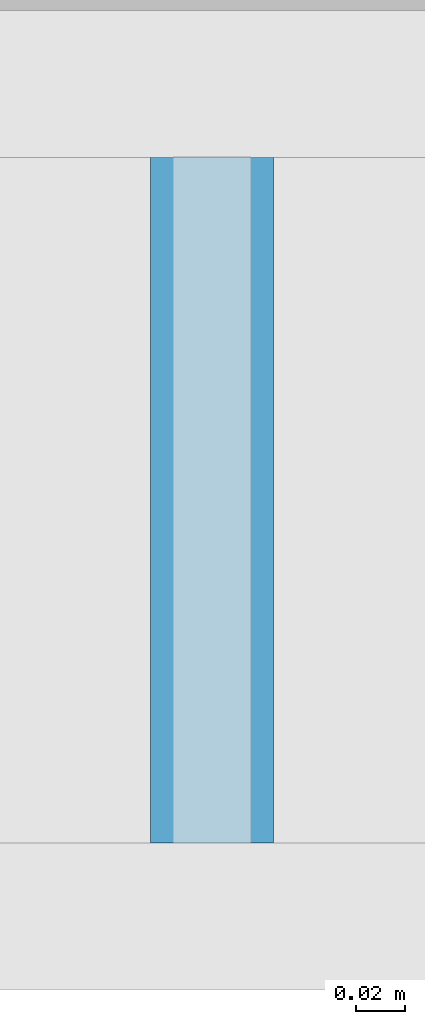
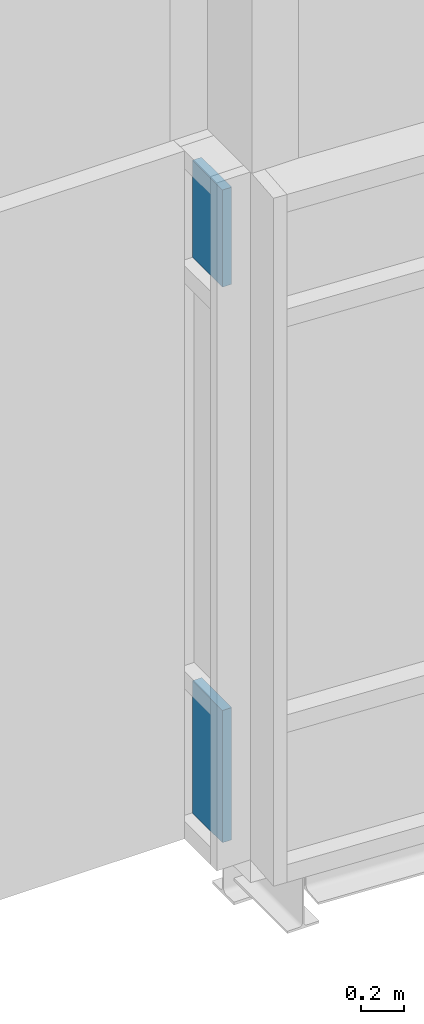
# One storey, part 15 of 23: 2 plates, 1 element without a shape of its own.
"""IFC4 building model written with IfcOpenShell, lengths in metres."""

from ifc_helpers import new_model, si_unit, direction, frame, origin, origin_2d, place, context, subcontext, project, spatial, rectangle, extrude, material, layer, layer_set, type_object, element, aggregate, save


model = new_model("IFC4")

# Units and contexts
model_context = context("Model", 3, precision=1e-05, world=origin(), true_north=direction((0.0, 1.0)))
body_context = subcontext(model_context, "Body", "Model", "MODEL_VIEW")
ifc_project = project(units=[si_unit("LENGTHUNIT", "METRE"), si_unit("AREAUNIT", "SQUARE_METRE"), si_unit("VOLUMEUNIT", "CUBIC_METRE"), si_unit("PLANEANGLEUNIT", "RADIAN"), si_unit("MASSUNIT", "GRAM", prefix="KILO")], contexts=[model_context])

# Site, building, storey
site_placement = place(None, origin())
site = spatial("IfcSite", under=ifc_project, at=site_placement, CompositionType="ELEMENT")
building_placement = place(site_placement, origin())
building = spatial("IfcBuilding", under=site, at=building_placement, Name="Azimuth Sports and Learning Centre", CompositionType="ELEMENT")
storey_placement = place(building_placement, frame((0.0, 0.0, 75.300048828125)))
storey = spatial("IfcBuildingStorey", under=building, at=storey_placement, Name="L17", CompositionType="ELEMENT", Elevation=75.300048828125)

# Curtain wall, plates
ifc_material_1 = material(Name="Aluminium and glass", Category="aluminium")
curtain_wall_type = type_object("IfcCurtainWallType", Name="Curtain wall tower return 180", PredefinedType="NOTDEFINED", material=ifc_material_1)
curtain_wall_placement = place(storey_placement, origin())
curtain_wall = element("IfcCurtainWall", 1, at=curtain_wall_placement, inside=storey, type_object=curtain_wall_type, Name="Curtain wall CW17-001", PredefinedType="NOTDEFINED")
ifc_material_2 = material(Name="Insulated aluminium panel", Category="aluminium")
ifc_layer = layer(ifc_material_2, 0.050048828125)
ifc_layer_set = layer_set([ifc_layer], Name="Insulated aluminium panel")
plate_type = type_object("IfcPlateType", Name="Spandrel panel 50 mm", PredefinedType="CURTAIN_PANEL", material=ifc_layer_set)
plate_1_placement = place(storey_placement, frame((62.909912109375, 89.60009765625, 0.099853515625), z_axis=(0.0, 0.0, 1.0), x_axis=(0.0, -1.0, 0.0)))
plate_1 = element("IfcPlate", 2, at=plate_1_placement, type_object=plate_type, Name="CW17-001 panel 1.1", PredefinedType="CURTAIN_PANEL", context=body_context, shape_type="SweptSolid", body=[
    extrude(rectangle(XDim=0.280029296875, YDim=0.050048828125, at=origin_2d()), origin(), (0.0, 0.0, 1.0), 0.75),
])
plate_2_placement = place(storey_placement, frame((62.909912109375, 89.60009765625, 3.25), z_axis=(0.0, 0.0, 1.0), x_axis=(0.0, -1.0, 0.0)))
plate_2 = element("IfcPlate", 3, at=plate_2_placement, type_object=plate_type, Name="CW17-001 panel 1.3", PredefinedType="CURTAIN_PANEL", context=body_context, shape_type="SweptSolid", body=[
    extrude(rectangle(XDim=0.280029296875, YDim=0.050048828125, at=origin_2d()), origin(), (0.0, 0.0, 1.0), 0.550048828125),
])
aggregate(curtain_wall, [plate_1, plate_2])

save(model, "model.ifc")
